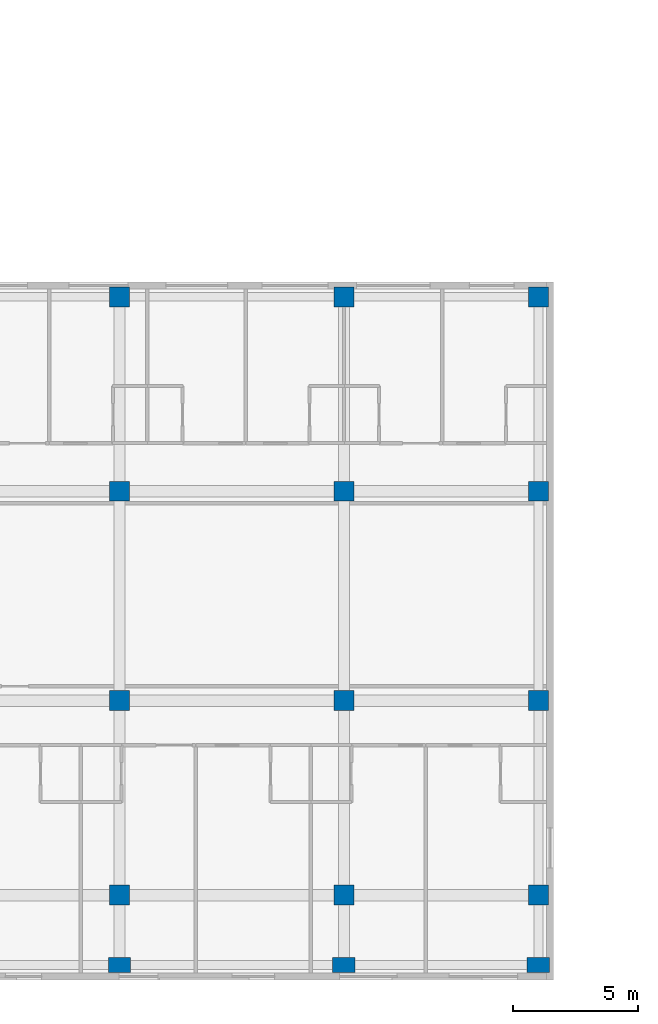
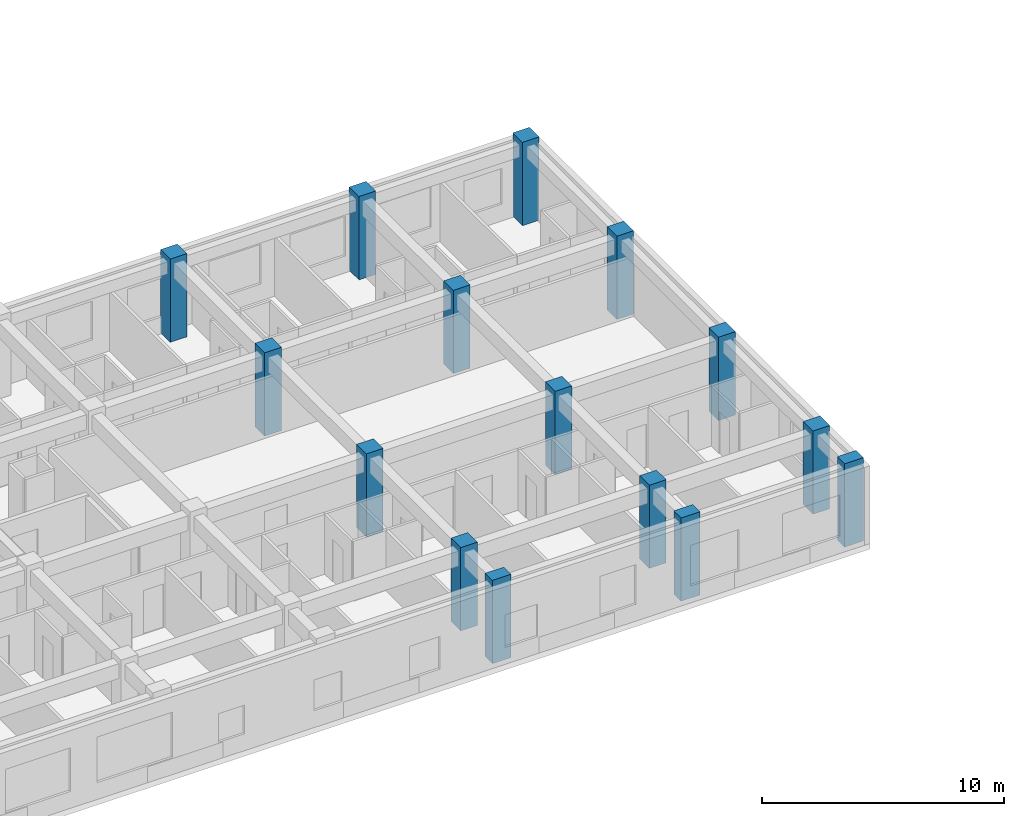
# One storey, part 4 of 123: 15 columns.
"""IFC4 building model written with IfcOpenShell, lengths in metres."""

import ifcopenshell
import ifcopenshell.guid

model = None  # the IFC model being written
_history = None  # IfcOwnerHistory: only IFC2X3 demands one
_inside = {}  # id of a spatial element -> (the spatial element, [elements in it])
_under = {}  # id of a project, library or spatial element -> (it, [spatial elements below it])
_declared = {}  # id of a project -> (the project, [libraries it declares])
_typed = {}  # id of a type object -> (the type object, [elements of that type])
_made_of = {}  # id of a material, layer set ... -> (it, [elements and type objects made of it])


def new_model(schema):
    """Start an empty IFC model of exactly this schema.

    Asked for "IFC4X3", IfcOpenShell would pick the latest addendum, in which some entities
    have other attributes; the version numbers below select the first issue.
    IFC2X3 requires an IfcOwnerHistory on every rooted entity: one is made here for all.
    """
    global model, _history
    if schema == "IFC4X3":
        model = ifcopenshell.file(schema_version=(4, 3, 0, 0))
    else:
        model = ifcopenshell.file(schema=schema)
    _inside.clear()
    _under.clear()
    _declared.clear()
    _typed.clear()
    _made_of.clear()
    _history = None
    if model.schema == "IFC2X3":
        org = make("IfcOrganization", Name="unknown")
        user = make(
            "IfcPersonAndOrganization",
            ThePerson=make("IfcPerson", FamilyName="unknown"),
            TheOrganization=org,
        )
        app = make(
            "IfcApplication",
            ApplicationDeveloper=org,
            Version="unknown",
            ApplicationFullName="unknown",
            ApplicationIdentifier="unknown",
        )
        _history = make(
            "IfcOwnerHistory",
            OwningUser=user,
            OwningApplication=app,
            ChangeAction="ADDED",
            CreationDate=0,
        )
    return model


def make(cls, **values):
    """One entity of the class cls with the attributes given. An attribute that is None is left unset."""
    return model.create_entity(
        cls, **{name: value for name, value in values.items() if value is not None}
    )


def rooted(cls, **values):
    """An entity with a GlobalId (a new one), such as an element, a storey or a relation."""
    return make(cls, GlobalId=ifcopenshell.guid.new(), OwnerHistory=_history, **values)


def si_unit(unit_type, name, prefix=None):
    """IfcSIUnit, for example si_unit("LENGTHUNIT", "METRE", prefix="MILLI")."""
    return make("IfcSIUnit", UnitType=unit_type, Prefix=prefix, Name=name)


def assignment(units):
    """IfcUnitAssignment: the units of a project."""
    return None if units is None else make("IfcUnitAssignment", Units=units)


def point(xyz):
    """IfcCartesianPoint."""
    return None if xyz is None else make("IfcCartesianPoint", Coordinates=xyz)


def direction(xyz):
    """IfcDirection."""
    return None if xyz is None else make("IfcDirection", DirectionRatios=xyz)


def frame(location, z_axis=None, x_axis=None):
    """IfcAxis2Placement3D, a coordinate frame: its origin and axes. An axis left out is left unset."""
    return make(
        "IfcAxis2Placement3D",
        Location=point(location),
        Axis=direction(z_axis),
        RefDirection=direction(x_axis),
    )


def frame_2d(location, x_axis=None):
    """IfcAxis2Placement2D, a coordinate frame in the plane: its origin and x axis."""
    return make(
        "IfcAxis2Placement2D", Location=point(location), RefDirection=direction(x_axis)
    )


def origin():
    """The frame at (0, 0, 0) with its axes left unset."""
    return frame((0.0, 0.0, 0.0))


def origin_2d():
    """The frame at (0, 0) in the plane with its x axis left unset."""
    return frame_2d((0.0, 0.0))


def place(relative_to, where):
    """IfcLocalPlacement: puts the frame where relative to a parent placement (None: the world)."""
    return make(
        "IfcLocalPlacement", PlacementRelTo=relative_to, RelativePlacement=where
    )


def context(
    kind, dimensions, precision=None, world=None, true_north=None, identifier=None
):
    """IfcGeometricRepresentationContext, for example the 3D "Model" context."""
    return make(
        "IfcGeometricRepresentationContext",
        ContextIdentifier=identifier,
        ContextType=kind,
        CoordinateSpaceDimension=dimensions,
        Precision=precision,
        WorldCoordinateSystem=world,
        TrueNorth=true_north,
    )


def subcontext(parent, identifier, kind, view, scale=None):
    """IfcGeometricRepresentationSubContext, for example "Body" below "Model"."""
    return make(
        "IfcGeometricRepresentationSubContext",
        ContextIdentifier=identifier,
        ContextType=kind,
        ParentContext=parent,
        TargetScale=scale,
        TargetView=view,
    )


def project(units=None, contexts=None):
    """IfcProject with its units and contexts."""
    return rooted(
        "IfcProject",
        Name="project",
        RepresentationContexts=contexts,
        UnitsInContext=assignment(units),
    )


def spatial(cls, under=None, at=None, **own):
    """A site, building, storey or space (cls), placed at a placement, below another one or the project."""
    s = rooted(cls, ObjectPlacement=at, **own)
    if under is not None:
        _under.setdefault(under.id(), (under, []))[1].append(s)
    return s


def profile(cls, at=None, kind="AREA", **sizes):
    """A parametric profile (cls). Its sizes go by their IFC names, for example OverallWidth=200.0."""
    return make(cls, ProfileType=kind, Position=at, **sizes)


def rectangle(**sizes):
    """IfcRectangleProfileDef."""
    return profile("IfcRectangleProfileDef", **sizes)


def extrude(swept, where, along, depth):
    """IfcExtrudedAreaSolid: the profile swept, set in the frame where, extruded along a direction by depth."""
    return make(
        "IfcExtrudedAreaSolid",
        SweptArea=swept,
        Position=where,
        ExtrudedDirection=direction(along),
        Depth=depth,
    )


def shape(context_of_items, identifier, shape_type, items):
    """IfcShapeRepresentation: the items that make up one representation, for example the "Body"."""
    return make(
        "IfcShapeRepresentation",
        ContextOfItems=context_of_items,
        RepresentationIdentifier=identifier,
        RepresentationType=shape_type,
        Items=items,
    )


def material(Name=None, Category=None):
    """IfcMaterial."""
    return make("IfcMaterial", Name=Name, Category=Category)


def material_profile(
    of_material, cross_section, Name=None, Category=None, Priority=None
):
    """IfcMaterialProfile: a cross section and its material."""
    return make(
        "IfcMaterialProfile",
        Name=Name,
        Material=of_material,
        Profile=cross_section,
        Priority=Priority,
        Category=Category,
    )


def profile_set(profiles, Name=None, composite=None):
    """IfcMaterialProfileSet."""
    return make(
        "IfcMaterialProfileSet",
        Name=Name,
        MaterialProfiles=profiles,
        CompositeProfile=composite,
    )


def made_of(thing, what):
    """Note that an element or type object is made of a material, layer set ...; save() writes the relation."""
    if what is not None:
        _made_of.setdefault(what.id(), (what, []))[1].append(thing)
    return thing


def type_object(cls, material=None, **own):
    """A type object (cls), such as IfcWallType, which elements share."""
    return made_of(rooted(cls, **own), material)


def element(
    cls,
    number,
    at=None,
    inside=None,
    cuts=None,
    type_object=None,
    material=None,
    context=None,
    identifier="Body",
    shape_type=None,
    held_by="IfcProductDefinitionShape",
    body=None,
    shapes=None,
    **own,
):
    """One element of the class cls, such as IfcWall. Its Tag is "e" and its number.

    at: its placement. inside: the storey or other place that contains it. cuts: it is an
    opening in that element (IfcRelVoidsElement). A single representation is given by context,
    identifier, shape_type and body (its items); several are given by shapes. held_by: the class
    of the entity that holds the representations. save() writes the other relations.
    """
    e = rooted(cls, Tag="e%d" % number, ObjectPlacement=at, **own)
    if body is not None:
        shapes = [shape(context, identifier, shape_type, body)]
    if shapes is not None:
        e.Representation = make(held_by, Representations=shapes)
    if inside is not None:
        _inside.setdefault(inside.id(), (inside, []))[1].append(e)
    if cuts is not None:
        rooted(
            "IfcRelVoidsElement", RelatingBuildingElement=cuts, RelatedOpeningElement=e
        )
    if type_object is not None:
        _typed.setdefault(type_object.id(), (type_object, []))[1].append(e)
    return made_of(e, material)


def aggregate(whole, parts):
    """IfcRelAggregates: a whole, such as a stair, and the parts it consists of."""
    return rooted("IfcRelAggregates", RelatingObject=whole, RelatedObjects=parts)


def save(model, path):
    """Write the relations noted so far, then the file.

    IfcRelAggregates (storeys below a building ...), IfcRelContainedInSpatialStructure (elements
    in a storey), IfcRelDefinesByType, IfcRelAssociatesMaterial and IfcRelDeclares: one each for
    every whole, place, type object, material and project.
    """
    for whole, parts in _under.values():
        aggregate(whole, parts)
    for where, things in _inside.values():
        rooted(
            "IfcRelContainedInSpatialStructure",
            RelatedElements=things,
            RelatingStructure=where,
        )
    for kind, things in _typed.values():
        rooted("IfcRelDefinesByType", RelatedObjects=things, RelatingType=kind)
    for what, things in _made_of.values():
        rooted("IfcRelAssociatesMaterial", RelatedObjects=things, RelatingMaterial=what)
    for by, libraries in _declared.values():
        rooted("IfcRelDeclares", RelatingContext=by, RelatedDefinitions=libraries)
    model.write(path)


model = new_model("IFC4")

# Units and contexts
model_context = context("Model", 3, precision=1e-05, world=origin(), true_north=direction((0.0, 1.0)))
body_context = subcontext(model_context, "Body", "Model", "MODEL_VIEW")
ifc_project = project(units=[si_unit("LENGTHUNIT", "METRE"), si_unit("AREAUNIT", "SQUARE_METRE"), si_unit("VOLUMEUNIT", "CUBIC_METRE"), si_unit("PLANEANGLEUNIT", "RADIAN"), si_unit("MASSUNIT", "GRAM", prefix="KILO")], contexts=[model_context])

# Site, building, storey
site_placement = place(None, origin())
site = spatial("IfcSite", under=ifc_project, at=site_placement, CompositionType="ELEMENT")
building_placement = place(site_placement, origin())
building = spatial("IfcBuilding", under=site, at=building_placement, Name="Zayran Congress Hotel", CompositionType="ELEMENT")
storey_placement = place(building_placement, frame((0.0, 0.0, 15.0)))
storey = spatial("IfcBuildingStorey", under=building, at=storey_placement, Name="L03", CompositionType="ELEMENT", Elevation=15.0)

# Columns
ifc_material = material(Name="Concrete C40/50", Category="concrete")
ifc_material_profile_1 = material_profile(ifc_material, rectangle(XDim=0.800048828125, YDim=0.800048828125, at=origin_2d()), Name="RC 800x800")
ifc_profile_set_1 = profile_set([ifc_material_profile_1], Name="Concrete C40/50")
column_type_1 = type_object("IfcColumnType", Name="TP-CL-02", PredefinedType="COLUMN", material=ifc_profile_set_1)
for number, where, z_axis, x_axis, name in (
    (1, (75.0, 9.39990234375, 0.0), (0.0, 0.0, 1.0), (1.0, 0.0, 0.0), "COL-V5-L03-1083"),
    (2, (75.0, 17.199951171875, 0.0), (0.0, 0.0, 1.0), (1.0, 0.0, 0.0), "COL-V5-L03-1084"),
    (3, (75.0, 25.60009765625, 0.0), (0.0, 0.0, 1.0), (1.0, 0.0, 0.0), "COL-V5-L03-1085"),
    (4, (75.0, 33.39990234375, 0.0), (0.0, 0.0, 1.0), (1.0, 0.0, 0.0), "COL-V5-L03-1086"),
    (5, (84.0, 9.39990234375, 0.0), (0.0, 0.0, 1.0), (1.0, 0.0, 0.0), "COL-V5-L03-1088"),
    (6, (84.0, 17.199951171875, 0.0), (0.0, 0.0, 1.0), (1.0, 0.0, 0.0), "COL-V5-L03-1089"),
    (7, (84.0, 25.60009765625, 0.0), (0.0, 0.0, 1.0), (1.0, 0.0, 0.0), "COL-V5-L03-1090"),
    (8, (84.0, 33.39990234375, 0.0), (0.0, 0.0, 1.0), (1.0, 0.0, 0.0), "COL-V5-L03-1091"),
    (9, (91.800048828125, 9.39990234375, 0.0), (0.0, 0.0, 1.0), (1.0, 0.0, 0.0), "COL-V5-L03-1093"),
    (10, (91.800048828125, 17.199951171875, 0.0), (0.0, 0.0, 1.0), (1.0, 0.0, 0.0), "COL-V5-L03-1094"),
    (11, (91.800048828125, 25.60009765625, 0.0), (0.0, 0.0, 1.0), (1.0, 0.0, 0.0), "COL-V5-L03-1095"),
    (12, (91.800048828125, 33.39990234375, 0.0), (0.0, 0.0, 1.0), (1.0, 0.0, 0.0), "COL-V5-L03-1096"),
):
    element("IfcColumn", number, at=place(storey_placement, frame(where, z_axis=z_axis, x_axis=x_axis)), inside=storey, type_object=column_type_1, Name=name, PredefinedType="COLUMN", context=body_context, shape_type="SweptSolid", body=[
        extrude(rectangle(XDim=0.800048828125, YDim=0.800048828125, at=origin_2d()), origin(), (0.0, 0.0, 1.0), 4.199951171875),
    ])
ifc_material_profile_2 = material_profile(ifc_material, rectangle(XDim=0.60009765625, YDim=0.89990234375, at=origin_2d()), Name="RC 900x600")
ifc_profile_set_2 = profile_set([ifc_material_profile_2], Name="Concrete C40/50")
column_type_2 = type_object("IfcColumnType", Name="TP-CL-05", PredefinedType="COLUMN", material=ifc_profile_set_2)
for number, where, z_axis, x_axis, name in (
    (13, (75.0, 6.60009765625, 0.0), (0.0, 0.0, 1.0), (0.0, 1.0, 0.0), "COL-V5-L03-1082"),
    (14, (84.0, 6.60009765625, 0.0), (0.0, 0.0, 1.0), (0.0, 1.0, 0.0), "COL-V5-L03-1087"),
    (15, (91.800048828125, 6.60009765625, 0.0), (0.0, 0.0, 1.0), (0.0, 1.0, 0.0), "COL-V5-L03-1092"),
):
    element("IfcColumn", number, at=place(storey_placement, frame(where, z_axis=z_axis, x_axis=x_axis)), inside=storey, type_object=column_type_2, Name=name, PredefinedType="COLUMN", context=body_context, shape_type="SweptSolid", body=[
        extrude(rectangle(XDim=0.60009765625, YDim=0.89990234375, at=origin_2d()), origin(), (0.0, 0.0, 1.0), 4.199951171875),
    ])

save(model, "model.ifc")
